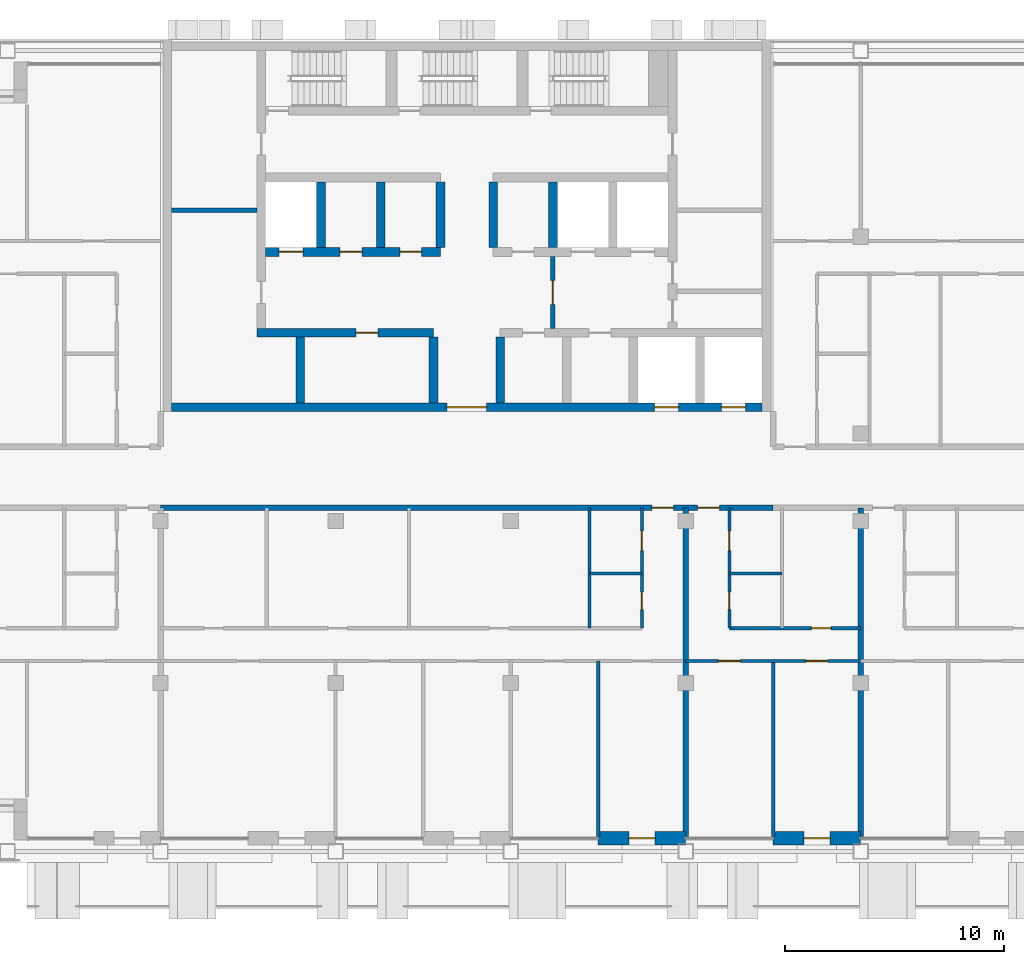
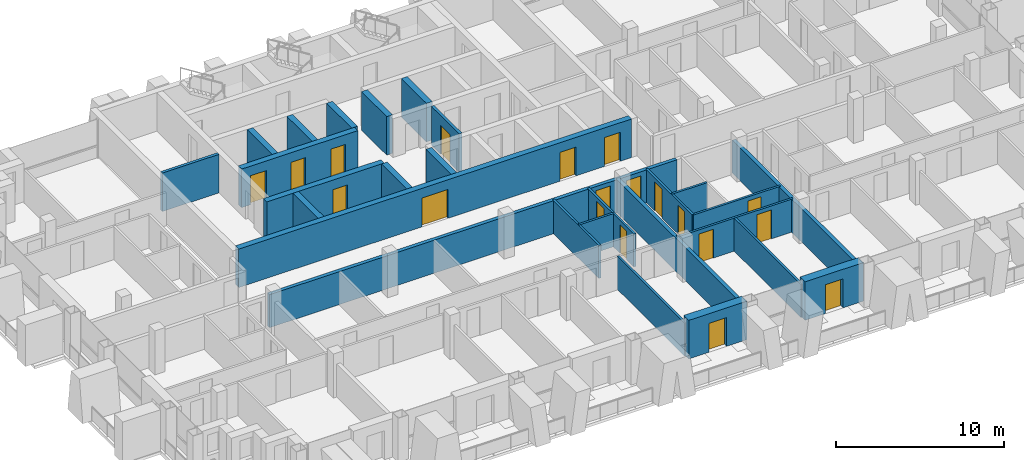
# One storey, part 9 of 16: 27 walls, 19 doors, 19 openings.
"""IFC4 building model written with IfcOpenShell, lengths in metres."""

import ifcopenshell
import ifcopenshell.guid

model = None  # the IFC model being written
_history = None  # IfcOwnerHistory: only IFC2X3 demands one
_inside = {}  # id of a spatial element -> (the spatial element, [elements in it])
_under = {}  # id of a project, library or spatial element -> (it, [spatial elements below it])
_declared = {}  # id of a project -> (the project, [libraries it declares])
_typed = {}  # id of a type object -> (the type object, [elements of that type])
_made_of = {}  # id of a material, layer set ... -> (it, [elements and type objects made of it])


def new_model(schema):
    """Start an empty IFC model of exactly this schema.

    Asked for "IFC4X3", IfcOpenShell would pick the latest addendum, in which some entities
    have other attributes; the version numbers below select the first issue.
    IFC2X3 requires an IfcOwnerHistory on every rooted entity: one is made here for all.
    """
    global model, _history
    if schema == "IFC4X3":
        model = ifcopenshell.file(schema_version=(4, 3, 0, 0))
    else:
        model = ifcopenshell.file(schema=schema)
    _inside.clear()
    _under.clear()
    _declared.clear()
    _typed.clear()
    _made_of.clear()
    _history = None
    if model.schema == "IFC2X3":
        org = make("IfcOrganization", Name="unknown")
        user = make(
            "IfcPersonAndOrganization",
            ThePerson=make("IfcPerson", FamilyName="unknown"),
            TheOrganization=org,
        )
        app = make(
            "IfcApplication",
            ApplicationDeveloper=org,
            Version="unknown",
            ApplicationFullName="unknown",
            ApplicationIdentifier="unknown",
        )
        _history = make(
            "IfcOwnerHistory",
            OwningUser=user,
            OwningApplication=app,
            ChangeAction="ADDED",
            CreationDate=0,
        )
    return model


def make(cls, **values):
    """One entity of the class cls with the attributes given. An attribute that is None is left unset."""
    return model.create_entity(
        cls, **{name: value for name, value in values.items() if value is not None}
    )


def rooted(cls, **values):
    """An entity with a GlobalId (a new one), such as an element, a storey or a relation."""
    return make(cls, GlobalId=ifcopenshell.guid.new(), OwnerHistory=_history, **values)


def si_unit(unit_type, name, prefix=None):
    """IfcSIUnit, for example si_unit("LENGTHUNIT", "METRE", prefix="MILLI")."""
    return make("IfcSIUnit", UnitType=unit_type, Prefix=prefix, Name=name)


def assignment(units):
    """IfcUnitAssignment: the units of a project."""
    return None if units is None else make("IfcUnitAssignment", Units=units)


def point(xyz):
    """IfcCartesianPoint."""
    return None if xyz is None else make("IfcCartesianPoint", Coordinates=xyz)


def direction(xyz):
    """IfcDirection."""
    return None if xyz is None else make("IfcDirection", DirectionRatios=xyz)


def frame(location, z_axis=None, x_axis=None):
    """IfcAxis2Placement3D, a coordinate frame: its origin and axes. An axis left out is left unset."""
    return make(
        "IfcAxis2Placement3D",
        Location=point(location),
        Axis=direction(z_axis),
        RefDirection=direction(x_axis),
    )


def frame_2d(location, x_axis=None):
    """IfcAxis2Placement2D, a coordinate frame in the plane: its origin and x axis."""
    return make(
        "IfcAxis2Placement2D", Location=point(location), RefDirection=direction(x_axis)
    )


def origin():
    """The frame at (0, 0, 0) with its axes left unset."""
    return frame((0.0, 0.0, 0.0))


def place(relative_to, where):
    """IfcLocalPlacement: puts the frame where relative to a parent placement (None: the world)."""
    return make(
        "IfcLocalPlacement", PlacementRelTo=relative_to, RelativePlacement=where
    )


def context(
    kind, dimensions, precision=None, world=None, true_north=None, identifier=None
):
    """IfcGeometricRepresentationContext, for example the 3D "Model" context."""
    return make(
        "IfcGeometricRepresentationContext",
        ContextIdentifier=identifier,
        ContextType=kind,
        CoordinateSpaceDimension=dimensions,
        Precision=precision,
        WorldCoordinateSystem=world,
        TrueNorth=true_north,
    )


def subcontext(parent, identifier, kind, view, scale=None):
    """IfcGeometricRepresentationSubContext, for example "Body" below "Model"."""
    return make(
        "IfcGeometricRepresentationSubContext",
        ContextIdentifier=identifier,
        ContextType=kind,
        ParentContext=parent,
        TargetScale=scale,
        TargetView=view,
    )


def project(units=None, contexts=None):
    """IfcProject with its units and contexts."""
    return rooted(
        "IfcProject",
        Name="project",
        RepresentationContexts=contexts,
        UnitsInContext=assignment(units),
    )


def spatial(cls, under=None, at=None, **own):
    """A site, building, storey or space (cls), placed at a placement, below another one or the project."""
    s = rooted(cls, ObjectPlacement=at, **own)
    if under is not None:
        _under.setdefault(under.id(), (under, []))[1].append(s)
    return s


def profile(cls, at=None, kind="AREA", **sizes):
    """A parametric profile (cls). Its sizes go by their IFC names, for example OverallWidth=200.0."""
    return make(cls, ProfileType=kind, Position=at, **sizes)


def rectangle(**sizes):
    """IfcRectangleProfileDef."""
    return profile("IfcRectangleProfileDef", **sizes)


def extrude(swept, where, along, depth):
    """IfcExtrudedAreaSolid: the profile swept, set in the frame where, extruded along a direction by depth."""
    return make(
        "IfcExtrudedAreaSolid",
        SweptArea=swept,
        Position=where,
        ExtrudedDirection=direction(along),
        Depth=depth,
    )


def shape(context_of_items, identifier, shape_type, items):
    """IfcShapeRepresentation: the items that make up one representation, for example the "Body"."""
    return make(
        "IfcShapeRepresentation",
        ContextOfItems=context_of_items,
        RepresentationIdentifier=identifier,
        RepresentationType=shape_type,
        Items=items,
    )


def material(Name=None, Category=None):
    """IfcMaterial."""
    return make("IfcMaterial", Name=Name, Category=Category)


def layer(
    of_material, thickness, ventilated=None, Name=None, Category=None, Priority=None
):
    """IfcMaterialLayer: one layer of a wall or slab, of a material (None: an air gap)."""
    return make(
        "IfcMaterialLayer",
        Material=of_material,
        LayerThickness=thickness,
        IsVentilated=ventilated,
        Name=Name,
        Category=Category,
        Priority=Priority,
    )


def layer_set(layers, Name=None):
    """IfcMaterialLayerSet."""
    return make("IfcMaterialLayerSet", MaterialLayers=layers, LayerSetName=Name)


def made_of(thing, what):
    """Note that an element or type object is made of a material, layer set ...; save() writes the relation."""
    if what is not None:
        _made_of.setdefault(what.id(), (what, []))[1].append(thing)
    return thing


def type_object(cls, material=None, **own):
    """A type object (cls), such as IfcWallType, which elements share."""
    return made_of(rooted(cls, **own), material)


def element(
    cls,
    number,
    at=None,
    inside=None,
    cuts=None,
    type_object=None,
    material=None,
    context=None,
    identifier="Body",
    shape_type=None,
    held_by="IfcProductDefinitionShape",
    body=None,
    shapes=None,
    **own,
):
    """One element of the class cls, such as IfcWall. Its Tag is "e" and its number.

    at: its placement. inside: the storey or other place that contains it. cuts: it is an
    opening in that element (IfcRelVoidsElement). A single representation is given by context,
    identifier, shape_type and body (its items); several are given by shapes. held_by: the class
    of the entity that holds the representations. save() writes the other relations.
    """
    e = rooted(cls, Tag="e%d" % number, ObjectPlacement=at, **own)
    if body is not None:
        shapes = [shape(context, identifier, shape_type, body)]
    if shapes is not None:
        e.Representation = make(held_by, Representations=shapes)
    if inside is not None:
        _inside.setdefault(inside.id(), (inside, []))[1].append(e)
    if cuts is not None:
        rooted(
            "IfcRelVoidsElement", RelatingBuildingElement=cuts, RelatedOpeningElement=e
        )
    if type_object is not None:
        _typed.setdefault(type_object.id(), (type_object, []))[1].append(e)
    return made_of(e, material)


def fill(opening, filler):
    """IfcRelFillsElement: the door or window that sits in an opening."""
    return rooted(
        "IfcRelFillsElement",
        RelatingOpeningElement=opening,
        RelatedBuildingElement=filler,
    )


def aggregate(whole, parts):
    """IfcRelAggregates: a whole, such as a stair, and the parts it consists of."""
    return rooted("IfcRelAggregates", RelatingObject=whole, RelatedObjects=parts)


def save(model, path):
    """Write the relations noted so far, then the file.

    IfcRelAggregates (storeys below a building ...), IfcRelContainedInSpatialStructure (elements
    in a storey), IfcRelDefinesByType, IfcRelAssociatesMaterial and IfcRelDeclares: one each for
    every whole, place, type object, material and project.
    """
    for whole, parts in _under.values():
        aggregate(whole, parts)
    for where, things in _inside.values():
        rooted(
            "IfcRelContainedInSpatialStructure",
            RelatedElements=things,
            RelatingStructure=where,
        )
    for kind, things in _typed.values():
        rooted("IfcRelDefinesByType", RelatedObjects=things, RelatingType=kind)
    for what, things in _made_of.values():
        rooted("IfcRelAssociatesMaterial", RelatedObjects=things, RelatingMaterial=what)
    for by, libraries in _declared.values():
        rooted("IfcRelDeclares", RelatingContext=by, RelatedDefinitions=libraries)
    model.write(path)


model = new_model("IFC4")

# Units and contexts
model_context = context("Model", 3, precision=1e-05, world=origin(), true_north=direction((0.0, 1.0)))
body_context = subcontext(model_context, "Body", "Model", "MODEL_VIEW")
ifc_project = project(units=[si_unit("LENGTHUNIT", "METRE"), si_unit("AREAUNIT", "SQUARE_METRE"), si_unit("VOLUMEUNIT", "CUBIC_METRE"), si_unit("PLANEANGLEUNIT", "RADIAN"), si_unit("MASSUNIT", "GRAM", prefix="KILO")], contexts=[model_context])

# Site, building, storey
site_placement = place(None, origin())
site = spatial("IfcSite", under=ifc_project, at=site_placement, CompositionType="ELEMENT")
building_placement = place(site_placement, origin())
building = spatial("IfcBuilding", under=site, at=building_placement, Name="Vidyagriha Tower", CompositionType="ELEMENT")
storey_placement = place(building_placement, frame((0.0, 0.0, 190.89990234375)))
storey = spatial("IfcBuildingStorey", under=building, at=storey_placement, Name="L50", CompositionType="ELEMENT", Elevation=190.89990234375)

# Wall, opening, door
ifc_material_1 = material(Name="Precast concrete C40/50 with brick facing", Category="concrete")
ifc_layer_1 = layer(ifc_material_1, 0.60009765625)
ifc_layer_set_1 = layer_set([ifc_layer_1], Name="Precast concrete C40/50 with brick facing")
wall_type_1 = type_object("IfcWallType", Name="Brick-faced precast wall 600", PredefinedType="STANDARD", material=ifc_layer_set_1)
wall_1_placement = place(storey_placement, frame((6.0, -16.5, 0.0)))
wall_1 = element("IfcWall", 1, at=wall_1_placement, inside=storey, type_object=wall_type_1, Name="Brick door bay wall L50 R23.8", PredefinedType="STANDARD", context=body_context, shape_type="SweptSolid", body=[
    extrude(rectangle(XDim=4.0, YDim=0.60009765625, at=frame_2d((2.0, 0.0))), origin(), (0.0, 0.0, 1.0), 2.800048828125),
])
opening_1_placement = place(wall_1_placement, frame((1.39990234375, 0.0, 0.0)))
opening_1 = element("IfcOpeningElement", 2, at=opening_1_placement, cuts=wall_1, Name="Opening D50-75", PredefinedType="OPENING", context=body_context, shape_type="SweptSolid", body=[
    extrude(rectangle(XDim=1.199951171875, YDim=2.10009765625, at=frame_2d((0.60009765625, 1.050048828125))), frame((0.0, 0.31005859375, 0.0), z_axis=(0.0, -1.0, 0.0), x_axis=(1.0, 0.0, 0.0)), (0.0, 0.0, 1.0), 0.6201171875),
])
ifc_material_2 = material(Name="Aluminium framed glazed sliding door", Category="aluminium")
door_type_1 = type_object("IfcDoorType", Name="Balcony sliding door 1200x2100", OperationType="NOTDEFINED", PredefinedType="DOOR", material=ifc_material_2)
door_1_placement = place(opening_1_placement, origin())
door_1 = element("IfcDoor", 3, at=door_1_placement, inside=storey, type_object=door_type_1, Name="Door D50-75", OperationType="SLIDING_TO_LEFT", OverallHeight=2.10009765625, OverallWidth=1.199951171875, PredefinedType="DOOR", context=body_context, shape_type="SweptSolid", body=[
    extrude(rectangle(XDim=1.199951171875, YDim=2.10009765625, at=frame_2d((0.60009765625, 1.050048828125))), frame((0.0, 0.02490234375, 0.0), z_axis=(0.0, -1.0, 0.0), x_axis=(1.0, 0.0, 0.0)), (0.0, 0.0, 1.0), 0.050048828125),
])
fill(opening_1, door_1)

wall_2_placement = place(storey_placement, frame((14.0, -16.5, 0.0)))
wall_2 = element("IfcWall", 4, at=wall_2_placement, inside=storey, type_object=wall_type_1, Name="Brick door bay wall L50 R23.10", PredefinedType="STANDARD", context=body_context, shape_type="SweptSolid", body=[
    extrude(rectangle(XDim=4.0, YDim=0.60009765625, at=frame_2d((2.0, 0.0))), origin(), (0.0, 0.0, 1.0), 2.800048828125),
])
opening_2_placement = place(wall_2_placement, frame((1.39990234375, 0.0, 0.0)))
opening_2 = element("IfcOpeningElement", 5, at=opening_2_placement, cuts=wall_2, Name="Opening D50-76", PredefinedType="OPENING", context=body_context, shape_type="SweptSolid", body=[
    extrude(rectangle(XDim=1.199951171875, YDim=2.10009765625, at=frame_2d((0.60009765625, 1.050048828125))), frame((0.0, 0.31005859375, 0.0), z_axis=(0.0, -1.0, 0.0), x_axis=(1.0, 0.0, 0.0)), (0.0, 0.0, 1.0), 0.6201171875),
])
door_2_placement = place(opening_2_placement, origin())
door_2 = element("IfcDoor", 6, at=door_2_placement, inside=storey, type_object=door_type_1, Name="Door D50-76", OperationType="SLIDING_TO_LEFT", OverallHeight=2.10009765625, OverallWidth=1.199951171875, PredefinedType="DOOR", context=body_context, shape_type="SweptSolid", body=[
    extrude(rectangle(XDim=1.199951171875, YDim=2.10009765625, at=frame_2d((0.60009765625, 1.050048828125))), frame((0.0, 0.02490234375, 0.0), z_axis=(0.0, -1.0, 0.0), x_axis=(1.0, 0.0, 0.0)), (0.0, 0.0, 1.0), 0.050048828125),
])
fill(opening_2, door_2)

# Wall, openings, doors
ifc_material_3 = material(Name="Concrete C60/75", Category="concrete")
ifc_layer_2 = layer(ifc_material_3, 0.39990234375)
ifc_layer_set_2 = layer_set([ifc_layer_2], Name="Concrete C60/75")
wall_type_2 = type_object("IfcWallType", Name="Core shear wall 400 mm", PredefinedType="SHEAR", material=ifc_layer_set_2)
wall_3_placement = place(storey_placement, frame((-13.5, 3.199951171875, 0.0)))
wall_3 = element("IfcWall", 7, at=wall_3_placement, inside=storey, type_object=wall_type_2, Name="Core front wall", PredefinedType="SHEAR", context=body_context, shape_type="SweptSolid", body=[
    extrude(rectangle(XDim=27.0, YDim=0.39990234375, at=frame_2d((13.5, 0.0))), origin(), (0.0, 0.0, 1.0), 2.800048828125),
])
opening_3_placement = place(wall_3_placement, frame((22.083251953125, 0.0, 0.0)))
opening_3 = element("IfcOpeningElement", 8, at=opening_3_placement, cuts=wall_3, Name="Opening LD50-01", PredefinedType="OPENING", context=body_context, shape_type="SweptSolid", body=[
    extrude(rectangle(XDim=1.10009765625, YDim=2.10009765625, at=frame_2d((0.550048828125, 1.050048828125))), frame((0.0, 0.2099609375, 0.0), z_axis=(0.0, -1.0, 0.0), x_axis=(1.0, 0.0, 0.0)), (0.0, 0.0, 1.0), 0.419921875),
])
opening_4_placement = place(wall_3_placement, frame((25.127685546875, 0.0, 0.0)))
opening_4 = element("IfcOpeningElement", 9, at=opening_4_placement, cuts=wall_3, Name="Opening LD50-02", PredefinedType="OPENING", context=body_context, shape_type="SweptSolid", body=[
    extrude(rectangle(XDim=1.10009765625, YDim=2.10009765625, at=frame_2d((0.550048828125, 1.050048828125))), frame((0.0, 0.2099609375, 0.0), z_axis=(0.0, -1.0, 0.0), x_axis=(1.0, 0.0, 0.0)), (0.0, 0.0, 1.0), 0.419921875),
])
opening_5_placement = place(wall_3_placement, frame((12.60009765625, 0.0, 0.0)))
opening_5 = element("IfcOpeningElement", 10, at=opening_5_placement, cuts=wall_3, Name="Opening D50-01", PredefinedType="OPENING", context=body_context, shape_type="SweptSolid", body=[
    extrude(rectangle(XDim=1.800048828125, YDim=2.10009765625, at=frame_2d((0.89990234375, 1.050048828125))), frame((0.0, 0.2099609375, 0.0), z_axis=(0.0, -1.0, 0.0), x_axis=(1.0, 0.0, 0.0)), (0.0, 0.0, 1.0), 0.419921875),
])
ifc_material_4 = material(Name="Hollow metal door leaf")
door_type_2 = type_object("IfcDoorType", Name="Core lobby double door 1800 x 2100 mm EI 60", OperationType="NOTDEFINED", PredefinedType="DOOR", material=ifc_material_4)
door_3_placement = place(opening_5_placement, frame((1.800048828125, 0.0, 0.0), z_axis=(0.0, 0.0, 1.0), x_axis=(-1.0, 0.0, 0.0)))
door_3 = element("IfcDoor", 11, at=door_3_placement, inside=storey, type_object=door_type_2, Name="Core entrance door L50", OperationType="DOUBLE_DOOR_SINGLE_SWING", OverallHeight=2.10009765625, OverallWidth=1.800048828125, PredefinedType="DOOR", context=body_context, shape_type="SweptSolid", body=[
    extrude(rectangle(XDim=1.800048828125, YDim=2.10009765625, at=frame_2d((0.89990234375, 1.050048828125))), frame((0.0, 0.02490234375, 0.0), z_axis=(0.0, -1.0, 0.0), x_axis=(1.0, 0.0, 0.0)), (0.0, 0.0, 1.0), 0.050048828125),
])
fill(opening_5, door_3)
ifc_material_5 = material(Name="Stainless steel sliding door panel", Category="steel")
door_type_3 = type_object("IfcDoorType", Name="Lift landing door 1100 x 2100 mm EI 90", OperationType="NOTDEFINED", PredefinedType="DOOR", material=ifc_material_5)
door_4_placement = place(opening_3_placement, origin())
door_4 = element("IfcDoor", 12, at=door_4_placement, inside=storey, type_object=door_type_3, Name="Landing door MR1 L50", OperationType="SLIDING_TO_LEFT", OverallHeight=2.10009765625, OverallWidth=1.10009765625, PredefinedType="DOOR", context=body_context, shape_type="SweptSolid", body=[
    extrude(rectangle(XDim=1.10009765625, YDim=2.10009765625, at=frame_2d((0.550048828125, 1.050048828125))), frame((0.0, 0.02490234375, 0.0), z_axis=(0.0, -1.0, 0.0), x_axis=(1.0, 0.0, 0.0)), (0.0, 0.0, 1.0), 0.050048828125),
])
fill(opening_3, door_4)
door_5_placement = place(opening_4_placement, origin())
door_5 = element("IfcDoor", 13, at=door_5_placement, inside=storey, type_object=door_type_3, Name="Landing door MR2 L50", OperationType="SLIDING_TO_LEFT", OverallHeight=2.10009765625, OverallWidth=1.10009765625, PredefinedType="DOOR", context=body_context, shape_type="SweptSolid", body=[
    extrude(rectangle(XDim=1.10009765625, YDim=2.10009765625, at=frame_2d((0.550048828125, 1.050048828125))), frame((0.0, 0.02490234375, 0.0), z_axis=(0.0, -1.0, 0.0), x_axis=(1.0, 0.0, 0.0)), (0.0, 0.0, 1.0), 0.050048828125),
])
fill(opening_4, door_5)

# Wall, opening, door
wall_4_placement = place(storey_placement, frame((-9.60009765625, 6.60009765625, 0.0)))
wall_4 = element("IfcWall", 14, at=wall_4_placement, inside=storey, type_object=wall_type_2, Name="Core lobby south wall west", PredefinedType="SHEAR", context=body_context, shape_type="SweptSolid", body=[
    extrude(rectangle(XDim=8.077880859375, YDim=0.39990234375, at=frame_2d((4.0390625, 0.0))), origin(), (0.0, 0.0, 1.0), 2.800048828125),
])
opening_6_placement = place(wall_4_placement, frame((4.533203125, 0.0, 0.0)))
opening_6 = element("IfcOpeningElement", 15, at=opening_6_placement, cuts=wall_4, Name="Opening D50-02", PredefinedType="OPENING", context=body_context, shape_type="SweptSolid", body=[
    extrude(rectangle(XDim=1.0, YDim=2.10009765625, at=frame_2d((0.5, 1.050048828125))), frame((0.0, 0.2099609375, 0.0), z_axis=(0.0, -1.0, 0.0), x_axis=(1.0, 0.0, 0.0)), (0.0, 0.0, 1.0), 0.419921875),
])
ifc_material_6 = material(Name="Hollow metal door leaf")
door_type_4 = type_object("IfcDoorType", Name="Core room door 1000 x 2100 mm EI 60", OperationType="NOTDEFINED", PredefinedType="DOOR", material=ifc_material_6)
door_6_placement = place(opening_6_placement, origin())
door_6 = element("IfcDoor", 16, at=door_6_placement, inside=storey, type_object=door_type_4, Name="Door Switchgear Room 50.01", OperationType="SINGLE_SWING_RIGHT", OverallHeight=2.10009765625, OverallWidth=1.0, PredefinedType="DOOR", context=body_context, shape_type="SweptSolid", body=[
    extrude(rectangle(XDim=1.0, YDim=2.10009765625, at=frame_2d((0.5, 1.050048828125))), frame((0.0, 0.02490234375, 0.0), z_axis=(0.0, -1.0, 0.0), x_axis=(1.0, 0.0, 0.0)), (0.0, 0.0, 1.0), 0.050048828125),
])
fill(opening_6, door_6)

# Walls
for number, where, z_axis, x_axis, name in (
    (17, (-7.611083984375, 3.39990234375, 0.0), (0.0, 0.0, 1.0), (0.0, 1.0, 0.0), "Core bay wall S2"),
    (18, (-1.522216796875, 3.39990234375, 0.0), (0.0, 0.0, 1.0), (0.0, 1.0, 0.0), "Core bay wall S4"),
    (19, (1.522216796875, 3.39990234375, 0.0), (0.0, 0.0, 1.0), (0.0, 1.0, 0.0), "Core bay wall S5"),
):
    element("IfcWall", number, at=place(storey_placement, frame(where, z_axis=z_axis, x_axis=x_axis)), inside=storey, type_object=wall_type_2, Name=name, PredefinedType="SHEAR", context=body_context, shape_type="SweptSolid", body=[
        extrude(rectangle(XDim=3.0, YDim=0.39990234375, at=frame_2d((1.5, 0.0))), origin(), (0.0, 0.0, 1.0), 2.800048828125),
    ])

# Wall, openings, doors
wall_5_placement = place(storey_placement, frame((-9.199951171875, 10.300048828125, 0.0)))
wall_5 = element("IfcWall", 20, at=wall_5_placement, inside=storey, type_object=wall_type_2, Name="Core row N front wall", PredefinedType="SHEAR", context=body_context, shape_type="SweptSolid", body=[
    extrude(rectangle(XDim=8.0, YDim=0.39990234375, at=frame_2d((4.0, 0.0))), origin(), (0.0, 0.0, 1.0), 2.800048828125),
])
opening_7_placement = place(wall_5_placement, frame((0.61669921875, 0.0, 0.0)))
opening_7 = element("IfcOpeningElement", 21, at=opening_7_placement, cuts=wall_5, Name="Opening LD50-03", PredefinedType="OPENING", context=body_context, shape_type="SweptSolid", body=[
    extrude(rectangle(XDim=1.10009765625, YDim=2.10009765625, at=frame_2d((0.550048828125, 1.050048828125))), frame((0.0, 0.2099609375, 0.0), z_axis=(0.0, -1.0, 0.0), x_axis=(1.0, 0.0, 0.0)), (0.0, 0.0, 1.0), 0.419921875),
])
opening_8_placement = place(wall_5_placement, frame((3.39990234375, 0.0, 0.0)))
opening_8 = element("IfcOpeningElement", 22, at=opening_8_placement, cuts=wall_5, Name="Opening D50-05", PredefinedType="OPENING", context=body_context, shape_type="SweptSolid", body=[
    extrude(rectangle(XDim=1.0, YDim=2.10009765625, at=frame_2d((0.5, 1.050048828125))), frame((0.0, 0.2099609375, 0.0), z_axis=(0.0, -1.0, 0.0), x_axis=(1.0, 0.0, 0.0)), (0.0, 0.0, 1.0), 0.419921875),
])
opening_9_placement = place(wall_5_placement, frame((6.13330078125, 0.0, 0.0)))
opening_9 = element("IfcOpeningElement", 23, at=opening_9_placement, cuts=wall_5, Name="Opening D50-06", PredefinedType="OPENING", context=body_context, shape_type="SweptSolid", body=[
    extrude(rectangle(XDim=1.0, YDim=2.10009765625, at=frame_2d((0.5, 1.050048828125))), frame((0.0, 0.2099609375, 0.0), z_axis=(0.0, -1.0, 0.0), x_axis=(1.0, 0.0, 0.0)), (0.0, 0.0, 1.0), 0.419921875),
])
door_7_placement = place(opening_8_placement, frame((1.0, 0.0, 0.0), z_axis=(0.0, 0.0, 1.0), x_axis=(-1.0, 0.0, 0.0)))
door_7 = element("IfcDoor", 24, at=door_7_placement, inside=storey, type_object=door_type_4, Name="Door Riser Room 50.14", OperationType="SINGLE_SWING_RIGHT", OverallHeight=2.10009765625, OverallWidth=1.0, PredefinedType="DOOR", context=body_context, shape_type="SweptSolid", body=[
    extrude(rectangle(XDim=1.0, YDim=2.10009765625, at=frame_2d((0.5, 1.050048828125))), frame((0.0, 0.02490234375, 0.0), z_axis=(0.0, -1.0, 0.0), x_axis=(1.0, 0.0, 0.0)), (0.0, 0.0, 1.0), 0.050048828125),
])
fill(opening_8, door_7)
door_8_placement = place(opening_9_placement, frame((1.0, 0.0, 0.0), z_axis=(0.0, 0.0, 1.0), x_axis=(-1.0, 0.0, 0.0)))
door_8 = element("IfcDoor", 25, at=door_8_placement, inside=storey, type_object=door_type_4, Name="Door Mechanical Riser Room 50.15", OperationType="SINGLE_SWING_LEFT", OverallHeight=2.10009765625, OverallWidth=1.0, PredefinedType="DOOR", context=body_context, shape_type="SweptSolid", body=[
    extrude(rectangle(XDim=1.0, YDim=2.10009765625, at=frame_2d((0.5, 1.050048828125))), frame((0.0, 0.02490234375, 0.0), z_axis=(0.0, -1.0, 0.0), x_axis=(1.0, 0.0, 0.0)), (0.0, 0.0, 1.0), 0.050048828125),
])
fill(opening_9, door_8)
door_9_placement = place(opening_7_placement, origin())
door_9 = element("IfcDoor", 26, at=door_9_placement, inside=storey, type_object=door_type_3, Name="Landing door MR3 L50", OperationType="SLIDING_TO_LEFT", OverallHeight=2.10009765625, OverallWidth=1.10009765625, PredefinedType="DOOR", context=body_context, shape_type="SweptSolid", body=[
    extrude(rectangle(XDim=1.10009765625, YDim=2.10009765625, at=frame_2d((0.550048828125, 1.050048828125))), frame((0.0, 0.02490234375, 0.0), z_axis=(0.0, -1.0, 0.0), x_axis=(1.0, 0.0, 0.0)), (0.0, 0.0, 1.0), 0.050048828125),
])
fill(opening_7, door_9)

# Walls
for number, where, z_axis, x_axis, name in (
    (27, (-6.666748046875, 10.5, 0.0), (0.0, 0.0, 1.0), (0.0, 1.0, 0.0), "Core bay wall N1"),
    (28, (-3.933349609375, 10.5, 0.0), (0.0, 0.0, 1.0), (0.0, 1.0, 0.0), "Core bay wall N2"),
    (29, (-1.199951171875, 10.5, 0.0), (0.0, 0.0, 1.0), (0.0, 1.0, 0.0), "Core bay wall N3"),
    (30, (1.199951171875, 10.5, 0.0), (0.0, 0.0, 1.0), (0.0, 1.0, 0.0), "Core bay wall N4"),
    (31, (3.933349609375, 10.5, 0.0), (0.0, 0.0, 1.0), (0.0, 1.0, 0.0), "Core bay wall N5"),
):
    element("IfcWall", number, at=place(storey_placement, frame(where, z_axis=z_axis, x_axis=x_axis)), inside=storey, type_object=wall_type_2, Name=name, PredefinedType="SHEAR", context=body_context, shape_type="SweptSolid", body=[
        extrude(rectangle(XDim=3.0, YDim=0.39990234375, at=frame_2d((1.5, 0.0))), origin(), (0.0, 0.0, 1.0), 2.800048828125),
    ])

# Wall, openings, doors
ifc_material_7 = material(Name="Fired clay brick masonry", Category="masonry")
ifc_layer_3 = layer(ifc_material_7, 0.25)
ifc_layer_set_3 = layer_set([ifc_layer_3], Name="Fired clay brick masonry")
wall_type_3 = type_object("IfcWallType", Name="Fired clay brick corridor wall 250", PredefinedType="PARTITIONING", material=ifc_layer_set_3)
wall_6_placement = place(storey_placement, frame((14.0, -1.39990234375, 0.0), z_axis=(0.0, 0.0, 1.0), x_axis=(-1.0, 0.0, 0.0)))
wall_6 = element("IfcWall", 32, at=wall_6_placement, inside=storey, type_object=wall_type_3, Name="Wall all-L50-w117", PredefinedType="PARTITIONING", context=body_context, shape_type="SweptSolid", body=[
    extrude(rectangle(XDim=28.0, YDim=0.25, at=frame_2d((14.0, 0.0))), origin(), (0.0, 0.0, 1.0), 2.400146484375),
])
opening_10_placement = place(wall_6_placement, frame((4.547119140625, 0.0, 0.0)))
opening_10 = element("IfcOpeningElement", 33, at=opening_10_placement, cuts=wall_6, Name="Opening D50-33", PredefinedType="OPENING", context=body_context, shape_type="SweptSolid", body=[
    extrude(rectangle(XDim=1.0, YDim=2.10009765625, at=frame_2d((0.5, 1.050048828125))), frame((0.0, 0.135009765625, 0.0), z_axis=(0.0, -1.0, 0.0), x_axis=(1.0, 0.0, 0.0)), (0.0, 0.0, 1.0), 0.27001953125),
])
opening_11_placement = place(wall_6_placement, frame((2.452880859375, 0.0, 0.0)))
opening_11 = element("IfcOpeningElement", 34, at=opening_11_placement, cuts=wall_6, Name="Opening D50-39", PredefinedType="OPENING", context=body_context, shape_type="SweptSolid", body=[
    extrude(rectangle(XDim=1.0, YDim=2.10009765625, at=frame_2d((0.5, 1.050048828125))), frame((0.0, 0.135009765625, 0.0), z_axis=(0.0, -1.0, 0.0), x_axis=(1.0, 0.0, 0.0)), (0.0, 0.0, 1.0), 0.27001953125),
])
ifc_material_8 = material(Name="Fire-rated timber door leaf EI 60", Category="wood")
door_type_5 = type_object("IfcDoorType", Name="Flat entrance fire door 1000x2100", OperationType="NOTDEFINED", PredefinedType="DOOR", material=ifc_material_8)
door_10_placement = place(opening_10_placement, origin())
door_10 = element("IfcDoor", 35, at=door_10_placement, inside=storey, type_object=door_type_5, Name="Door D50-33", OperationType="SINGLE_SWING_LEFT", OverallHeight=2.10009765625, OverallWidth=1.0, PredefinedType="DOOR", context=body_context, shape_type="SweptSolid", body=[
    extrude(rectangle(XDim=1.0, YDim=2.10009765625, at=frame_2d((0.5, 1.050048828125))), frame((0.0, 0.02490234375, 0.0), z_axis=(0.0, -1.0, 0.0), x_axis=(1.0, 0.0, 0.0)), (0.0, 0.0, 1.0), 0.050048828125),
])
fill(opening_10, door_10)
door_11_placement = place(opening_11_placement, origin())
door_11 = element("IfcDoor", 36, at=door_11_placement, inside=storey, type_object=door_type_5, Name="Door D50-39", OperationType="SINGLE_SWING_RIGHT", OverallHeight=2.10009765625, OverallWidth=1.0, PredefinedType="DOOR", context=body_context, shape_type="SweptSolid", body=[
    extrude(rectangle(XDim=1.0, YDim=2.10009765625, at=frame_2d((0.5, 1.050048828125))), frame((0.0, 0.02490234375, 0.0), z_axis=(0.0, -1.0, 0.0), x_axis=(1.0, 0.0, 0.0)), (0.0, 0.0, 1.0), 0.050048828125),
])
fill(opening_11, door_11)

# Walls
ifc_material_9 = material(Name="Fired clay brick masonry", Category="masonry")
ifc_layer_4 = layer(ifc_material_9, 0.25)
ifc_layer_set_4 = layer_set([ifc_layer_4], Name="Fired clay brick masonry")
wall_type_4 = type_object("IfcWallType", Name="Fired clay brick demising wall 250", PredefinedType="PARTITIONING", material=ifc_layer_set_4)
for number, where, z_axis, x_axis, name in (
    (37, (10.0, -1.39990234375, 0.0), (0.0, 0.0, 1.0), (0.0, -1.0, 0.0), "Wall all-L50-w048"),
    (38, (18.0, -1.39990234375, 0.0), (0.0, 0.0, 1.0), (0.0, -1.0, 0.0), "Wall all-L50-w069"),
):
    element("IfcWall", number, at=place(storey_placement, frame(where, z_axis=z_axis, x_axis=x_axis)), inside=storey, type_object=wall_type_4, Name=name, PredefinedType="PARTITIONING", context=body_context, shape_type="SweptSolid", body=[
        extrude(rectangle(XDim=15.010009765625, YDim=0.25, at=frame_2d((7.5048828125, 0.0))), origin(), (0.0, 0.0, 1.0), 2.400146484375),
    ])
ifc_material_10 = material(Name="Gypsum board partition")
ifc_layer_5 = layer(ifc_material_10, 0.14990234375)
ifc_layer_set_5 = layer_set([ifc_layer_5], Name="Gypsum board partition")
wall_type_5 = type_object("IfcWallType", Name="Gypsum board partition 150", PredefinedType="PARTITIONING", material=ifc_layer_set_5)
wall_7_placement = place(storey_placement, frame((8.0, -4.39990234375, 0.0), z_axis=(0.0, 0.0, 1.0), x_axis=(-1.0, 0.0, 0.0)))
element("IfcWall", 39, at=wall_7_placement, inside=storey, type_object=wall_type_5, Name="Wall all-L50-w016", PredefinedType="PARTITIONING", context=body_context, shape_type="SweptSolid", body=[
    extrude(rectangle(XDim=2.39990234375, YDim=0.14990234375, at=frame_2d((1.199951171875, 0.0))), origin(), (0.0, 0.0, 1.0), 2.400146484375),
])
wall_8_placement = place(storey_placement, frame((5.60009765625, -6.89990234375, 0.0), z_axis=(0.0, 0.0, 1.0), x_axis=(0.0, 1.0, 0.0)))
element("IfcWall", 40, at=wall_8_placement, inside=storey, type_object=wall_type_5, Name="Wall all-L50-w017", PredefinedType="PARTITIONING", context=body_context, shape_type="SweptSolid", body=[
    extrude(rectangle(XDim=5.5, YDim=0.14990234375, at=frame_2d((2.75, 0.0))), origin(), (0.0, 0.0, 1.0), 2.400146484375),
])
wall_9_placement = place(storey_placement, frame((6.0, -8.39990234375, 0.0), z_axis=(0.0, 0.0, 1.0), x_axis=(0.0, -1.0, 0.0)))
element("IfcWall", 41, at=wall_9_placement, inside=storey, type_object=wall_type_5, Name="Wall all-L50-w033", PredefinedType="PARTITIONING", context=body_context, shape_type="SweptSolid", body=[
    extrude(rectangle(XDim=8.02099609375, YDim=0.14990234375, at=frame_2d((4.010498046875, 0.0))), origin(), (0.0, 0.0, 1.0), 2.400146484375),
])
wall_10_placement = place(storey_placement, frame((14.39990234375, -4.39990234375, 0.0), z_axis=(0.0, 0.0, 1.0), x_axis=(-1.0, 0.0, 0.0)))
element("IfcWall", 42, at=wall_10_placement, inside=storey, type_object=wall_type_5, Name="Wall all-L50-w039", PredefinedType="PARTITIONING", context=body_context, shape_type="SweptSolid", body=[
    extrude(rectangle(XDim=2.39990234375, YDim=0.14990234375, at=frame_2d((1.199951171875, 0.0))), origin(), (0.0, 0.0, 1.0), 2.400146484375),
])

# Wall, opening, door
wall_11_placement = place(storey_placement, frame((12.0, -6.89990234375, 0.0)))
wall_11 = element("IfcWall", 43, at=wall_11_placement, inside=storey, type_object=wall_type_5, Name="Wall all-L50-w041", PredefinedType="PARTITIONING", context=body_context, shape_type="SweptSolid", body=[
    extrude(rectangle(XDim=6.0, YDim=0.14990234375, at=frame_2d((3.0, 0.0))), origin(), (0.0, 0.0, 1.0), 2.400146484375),
])
opening_12_placement = place(wall_11_placement, frame((3.75, 0.0, 0.0)))
opening_12 = element("IfcOpeningElement", 44, at=opening_12_placement, cuts=wall_11, Name="Opening D50-36", PredefinedType="OPENING", context=body_context, shape_type="SweptSolid", body=[
    extrude(rectangle(XDim=0.89990234375, YDim=2.10009765625, at=frame_2d((0.449951171875, 1.050048828125))), frame((0.0, 0.0849609375, 0.0), z_axis=(0.0, -1.0, 0.0), x_axis=(1.0, 0.0, 0.0)), (0.0, 0.0, 1.0), 0.169921875),
])
ifc_material_11 = material(Name="Timber door leaf", Category="wood")
door_type_6 = type_object("IfcDoorType", Name="Room door 900x2100", OperationType="NOTDEFINED", PredefinedType="DOOR", material=ifc_material_11)
door_12_placement = place(opening_12_placement, origin())
door_12 = element("IfcDoor", 45, at=door_12_placement, inside=storey, type_object=door_type_6, Name="Door D50-36", OperationType="SINGLE_SWING_LEFT", OverallHeight=2.10009765625, OverallWidth=0.89990234375, PredefinedType="DOOR", context=body_context, shape_type="SweptSolid", body=[
    extrude(rectangle(XDim=0.89990234375, YDim=2.10009765625, at=frame_2d((0.449951171875, 1.050048828125))), frame((0.0, 0.02490234375, 0.0), z_axis=(0.0, -1.0, 0.0), x_axis=(1.0, 0.0, 0.0)), (0.0, 0.0, 1.0), 0.050048828125),
])
fill(opening_12, door_12)

# Wall, openings, doors
wall_12_placement = place(storey_placement, frame((18.0, -8.39990234375, 0.0), z_axis=(0.0, 0.0, 1.0), x_axis=(-1.0, 0.0, 0.0)))
wall_12 = element("IfcWall", 46, at=wall_12_placement, inside=storey, type_object=wall_type_5, Name="Wall all-L50-w043", PredefinedType="PARTITIONING", context=body_context, shape_type="SweptSolid", body=[
    extrude(rectangle(XDim=8.0, YDim=0.14990234375, at=frame_2d((4.0, 0.0))), origin(), (0.0, 0.0, 1.0), 2.400146484375),
])
opening_13_placement = place(wall_12_placement, frame((5.5, 0.0, 0.0)))
opening_13 = element("IfcOpeningElement", 47, at=opening_13_placement, cuts=wall_12, Name="Opening D50-37", PredefinedType="OPENING", context=body_context, shape_type="SweptSolid", body=[
    extrude(rectangle(XDim=1.0, YDim=2.10009765625, at=frame_2d((0.5, 1.050048828125))), frame((0.0, 0.0849609375, 0.0), z_axis=(0.0, -1.0, 0.0), x_axis=(1.0, 0.0, 0.0)), (0.0, 0.0, 1.0), 0.169921875),
])
opening_14_placement = place(wall_12_placement, frame((1.5, 0.0, 0.0)))
opening_14 = element("IfcOpeningElement", 48, at=opening_14_placement, cuts=wall_12, Name="Opening D50-38", PredefinedType="OPENING", context=body_context, shape_type="SweptSolid", body=[
    extrude(rectangle(XDim=1.0, YDim=2.10009765625, at=frame_2d((0.5, 1.050048828125))), frame((0.0, 0.0849609375, 0.0), z_axis=(0.0, -1.0, 0.0), x_axis=(1.0, 0.0, 0.0)), (0.0, 0.0, 1.0), 0.169921875),
])
ifc_material_12 = material(Name="Timber door leaf", Category="wood")
door_type_7 = type_object("IfcDoorType", Name="Room door 1000x2100", OperationType="NOTDEFINED", PredefinedType="DOOR", material=ifc_material_12)
door_13_placement = place(opening_13_placement, origin())
door_13 = element("IfcDoor", 49, at=door_13_placement, inside=storey, type_object=door_type_7, Name="Door D50-37", OperationType="SINGLE_SWING_RIGHT", OverallHeight=2.10009765625, OverallWidth=1.0, PredefinedType="DOOR", context=body_context, shape_type="SweptSolid", body=[
    extrude(rectangle(XDim=1.0, YDim=2.10009765625, at=frame_2d((0.5, 1.050048828125))), frame((0.0, 0.02490234375, 0.0), z_axis=(0.0, -1.0, 0.0), x_axis=(1.0, 0.0, 0.0)), (0.0, 0.0, 1.0), 0.050048828125),
])
fill(opening_13, door_13)
door_14_placement = place(opening_14_placement, origin())
door_14 = element("IfcDoor", 50, at=door_14_placement, inside=storey, type_object=door_type_7, Name="Door D50-38", OperationType="SINGLE_SWING_RIGHT", OverallHeight=2.10009765625, OverallWidth=1.0, PredefinedType="DOOR", context=body_context, shape_type="SweptSolid", body=[
    extrude(rectangle(XDim=1.0, YDim=2.10009765625, at=frame_2d((0.5, 1.050048828125))), frame((0.0, 0.02490234375, 0.0), z_axis=(0.0, -1.0, 0.0), x_axis=(1.0, 0.0, 0.0)), (0.0, 0.0, 1.0), 0.050048828125),
])
fill(opening_14, door_14)

# Wall
wall_13_placement = place(storey_placement, frame((14.0, -8.39990234375, 0.0), z_axis=(0.0, 0.0, 1.0), x_axis=(0.0, -1.0, 0.0)))
element("IfcWall", 51, at=wall_13_placement, inside=storey, type_object=wall_type_5, Name="Wall all-L50-w046", PredefinedType="PARTITIONING", context=body_context, shape_type="SweptSolid", body=[
    extrude(rectangle(XDim=8.02099609375, YDim=0.14990234375, at=frame_2d((4.010498046875, 0.0))), origin(), (0.0, 0.0, 1.0), 2.400146484375),
])

# Wall, openings, doors
ifc_material_13 = material(Name="Moisture resistant gypsum board partition")
ifc_layer_6 = layer(ifc_material_13, 0.14990234375)
ifc_layer_set_6 = layer_set([ifc_layer_6], Name="Moisture resistant gypsum board partition")
wall_type_6 = type_object("IfcWallType", Name="Gypsum board wet-area partition 150", PredefinedType="PARTITIONING", material=ifc_layer_set_6)
wall_14_placement = place(storey_placement, frame((8.0, -6.89990234375, 0.0), z_axis=(0.0, 0.0, 1.0), x_axis=(0.0, 1.0, 0.0)))
wall_14 = element("IfcWall", 52, at=wall_14_placement, inside=storey, type_object=wall_type_6, Name="Wall all-L50-w013", PredefinedType="PARTITIONING", context=body_context, shape_type="SweptSolid", body=[
    extrude(rectangle(XDim=5.5, YDim=0.14990234375, at=frame_2d((2.75, 0.0))), origin(), (0.0, 0.0, 1.0), 2.400146484375),
])
opening_15_placement = place(wall_14_placement, frame((3.550048828125, 0.0, 0.0)))
opening_15 = element("IfcOpeningElement", 53, at=opening_15_placement, cuts=wall_14, Name="Opening D50-23", PredefinedType="OPENING", context=body_context, shape_type="SweptSolid", body=[
    extrude(rectangle(XDim=0.89990234375, YDim=2.10009765625, at=frame_2d((0.449951171875, 1.050048828125))), frame((0.0, 0.0849609375, 0.0), z_axis=(0.0, -1.0, 0.0), x_axis=(1.0, 0.0, 0.0)), (0.0, 0.0, 1.0), 0.169921875),
])
opening_16_placement = place(wall_14_placement, frame((0.85009765625, 0.0, 0.0)))
opening_16 = element("IfcOpeningElement", 54, at=opening_16_placement, cuts=wall_14, Name="Opening D50-24", PredefinedType="OPENING", context=body_context, shape_type="SweptSolid", body=[
    extrude(rectangle(XDim=0.800048828125, YDim=2.10009765625, at=frame_2d((0.39990234375, 1.050048828125))), frame((0.0, 0.0849609375, 0.0), z_axis=(0.0, -1.0, 0.0), x_axis=(1.0, 0.0, 0.0)), (0.0, 0.0, 1.0), 0.169921875),
])
ifc_material_14 = material(Name="Timber door leaf", Category="wood")
door_type_8 = type_object("IfcDoorType", Name="Bathroom door 800x2100", OperationType="NOTDEFINED", PredefinedType="DOOR", material=ifc_material_14)
door_15_placement = place(opening_16_placement, origin())
door_15 = element("IfcDoor", 55, at=door_15_placement, inside=storey, type_object=door_type_8, Name="Door D50-24", OperationType="SINGLE_SWING_RIGHT", OverallHeight=2.10009765625, OverallWidth=0.800048828125, PredefinedType="DOOR", context=body_context, shape_type="SweptSolid", body=[
    extrude(rectangle(XDim=0.800048828125, YDim=2.10009765625, at=frame_2d((0.39990234375, 1.050048828125))), frame((0.0, 0.02490234375, 0.0), z_axis=(0.0, -1.0, 0.0), x_axis=(1.0, 0.0, 0.0)), (0.0, 0.0, 1.0), 0.050048828125),
])
fill(opening_16, door_15)
ifc_material_15 = material(Name="Timber door leaf", Category="wood")
door_type_9 = type_object("IfcDoorType", Name="Kitchen door 900x2100", OperationType="NOTDEFINED", PredefinedType="DOOR", material=ifc_material_15)
door_16_placement = place(opening_15_placement, origin())
door_16 = element("IfcDoor", 56, at=door_16_placement, inside=storey, type_object=door_type_9, Name="Door D50-23", OperationType="SINGLE_SWING_LEFT", OverallHeight=2.10009765625, OverallWidth=0.89990234375, PredefinedType="DOOR", context=body_context, shape_type="SweptSolid", body=[
    extrude(rectangle(XDim=0.89990234375, YDim=2.10009765625, at=frame_2d((0.449951171875, 1.050048828125))), frame((0.0, 0.02490234375, 0.0), z_axis=(0.0, -1.0, 0.0), x_axis=(1.0, 0.0, 0.0)), (0.0, 0.0, 1.0), 0.050048828125),
])
fill(opening_15, door_16)

wall_15_placement = place(storey_placement, frame((12.0, -1.39990234375, 0.0), z_axis=(0.0, 0.0, 1.0), x_axis=(0.0, -1.0, 0.0)))
wall_15 = element("IfcWall", 57, at=wall_15_placement, inside=storey, type_object=wall_type_6, Name="Wall all-L50-w036", PredefinedType="PARTITIONING", context=body_context, shape_type="SweptSolid", body=[
    extrude(rectangle(XDim=5.5, YDim=0.14990234375, at=frame_2d((2.75, 0.0))), origin(), (0.0, 0.0, 1.0), 2.400146484375),
])
opening_17_placement = place(wall_15_placement, frame((1.050048828125, 0.0, 0.0)))
opening_17 = element("IfcOpeningElement", 58, at=opening_17_placement, cuts=wall_15, Name="Opening D50-34", PredefinedType="OPENING", context=body_context, shape_type="SweptSolid", body=[
    extrude(rectangle(XDim=0.89990234375, YDim=2.10009765625, at=frame_2d((0.449951171875, 1.050048828125))), frame((0.0, 0.0849609375, 0.0), z_axis=(0.0, -1.0, 0.0), x_axis=(1.0, 0.0, 0.0)), (0.0, 0.0, 1.0), 0.169921875),
])
opening_18_placement = place(wall_15_placement, frame((3.85009765625, 0.0, 0.0)))
opening_18 = element("IfcOpeningElement", 59, at=opening_18_placement, cuts=wall_15, Name="Opening D50-35", PredefinedType="OPENING", context=body_context, shape_type="SweptSolid", body=[
    extrude(rectangle(XDim=0.800048828125, YDim=2.10009765625, at=frame_2d((0.39990234375, 1.050048828125))), frame((0.0, 0.0849609375, 0.0), z_axis=(0.0, -1.0, 0.0), x_axis=(1.0, 0.0, 0.0)), (0.0, 0.0, 1.0), 0.169921875),
])
door_17_placement = place(opening_18_placement, origin())
door_17 = element("IfcDoor", 60, at=door_17_placement, inside=storey, type_object=door_type_8, Name="Door D50-35", OperationType="SINGLE_SWING_RIGHT", OverallHeight=2.10009765625, OverallWidth=0.800048828125, PredefinedType="DOOR", context=body_context, shape_type="SweptSolid", body=[
    extrude(rectangle(XDim=0.800048828125, YDim=2.10009765625, at=frame_2d((0.39990234375, 1.050048828125))), frame((0.0, 0.02490234375, 0.0), z_axis=(0.0, -1.0, 0.0), x_axis=(1.0, 0.0, 0.0)), (0.0, 0.0, 1.0), 0.050048828125),
])
fill(opening_18, door_17)
door_18_placement = place(opening_17_placement, origin())
door_18 = element("IfcDoor", 61, at=door_18_placement, inside=storey, type_object=door_type_9, Name="Door D50-34", OperationType="SINGLE_SWING_LEFT", OverallHeight=2.10009765625, OverallWidth=0.89990234375, PredefinedType="DOOR", context=body_context, shape_type="SweptSolid", body=[
    extrude(rectangle(XDim=0.89990234375, YDim=2.10009765625, at=frame_2d((0.449951171875, 1.050048828125))), frame((0.0, 0.02490234375, 0.0), z_axis=(0.0, -1.0, 0.0), x_axis=(1.0, 0.0, 0.0)), (0.0, 0.0, 1.0), 0.050048828125),
])
fill(opening_17, door_18)

# Wall, opening, door
ifc_material_16 = material(Name="Blockwork 15 MPa", Category="masonry")
ifc_layer_7 = layer(ifc_material_16, 0.199951171875)
ifc_layer_set_7 = layer_set([ifc_layer_7], Name="Blockwork 15 MPa")
wall_type_7 = type_object("IfcWallType", Name="Service room partition 200 mm", PredefinedType="PARTITIONING", material=ifc_layer_set_7)
wall_16_placement = place(storey_placement, frame((3.933349609375, 6.800048828125, 0.0), z_axis=(0.0, 0.0, 1.0), x_axis=(0.0, 1.0, 0.0)))
wall_16 = element("IfcWall", 62, at=wall_16_placement, inside=storey, type_object=wall_type_7, Name="Fire-fighting lobby west wall", PredefinedType="PARTITIONING", context=body_context, shape_type="SweptSolid", body=[
    extrude(rectangle(XDim=3.300048828125, YDim=0.199951171875, at=frame_2d((1.64990234375, 0.0))), origin(), (0.0, 0.0, 1.0), 2.800048828125),
])
opening_19_placement = place(wall_16_placement, frame((1.10009765625, 0.0, 0.0)))
opening_19 = element("IfcOpeningElement", 63, at=opening_19_placement, cuts=wall_16, Name="Opening D50-08", PredefinedType="OPENING", context=body_context, shape_type="SweptSolid", body=[
    extrude(rectangle(XDim=1.10009765625, YDim=2.10009765625, at=frame_2d((0.550048828125, 1.050048828125))), frame((0.0, 0.10986328125, 0.0), z_axis=(0.0, -1.0, 0.0), x_axis=(1.0, 0.0, 0.0)), (0.0, 0.0, 1.0), 0.219970703125),
])
ifc_material_17 = material(Name="Hollow metal door leaf")
door_type_10 = type_object("IfcDoorType", Name="Fire-fighting lobby door 1100 x 2100 mm EI 90", OperationType="NOTDEFINED", PredefinedType="DOOR", material=ifc_material_17)
door_19_placement = place(opening_19_placement, origin())
door_19 = element("IfcDoor", 64, at=door_19_placement, inside=storey, type_object=door_type_10, Name="Fire-fighting lobby door L50", OperationType="SINGLE_SWING_RIGHT", OverallHeight=2.10009765625, OverallWidth=1.10009765625, PredefinedType="DOOR", context=body_context, shape_type="SweptSolid", body=[
    extrude(rectangle(XDim=1.10009765625, YDim=2.10009765625, at=frame_2d((0.550048828125, 1.050048828125))), frame((0.0, 0.02490234375, 0.0), z_axis=(0.0, -1.0, 0.0), x_axis=(1.0, 0.0, 0.0)), (0.0, 0.0, 1.0), 0.050048828125),
])
fill(opening_19, door_19)

# Wall
wall_17_placement = place(storey_placement, frame((-13.5, 12.199951171875, 0.0)))
element("IfcWall", 65, at=wall_17_placement, inside=storey, type_object=wall_type_7, Name="Core room partition W1", PredefinedType="PARTITIONING", context=body_context, shape_type="SweptSolid", body=[
    extrude(rectangle(XDim=3.89990234375, YDim=0.199951171875, at=frame_2d((1.949951171875, 0.0))), origin(), (0.0, 0.0, 1.0), 2.800048828125),
])

save(model, "model.ifc")
